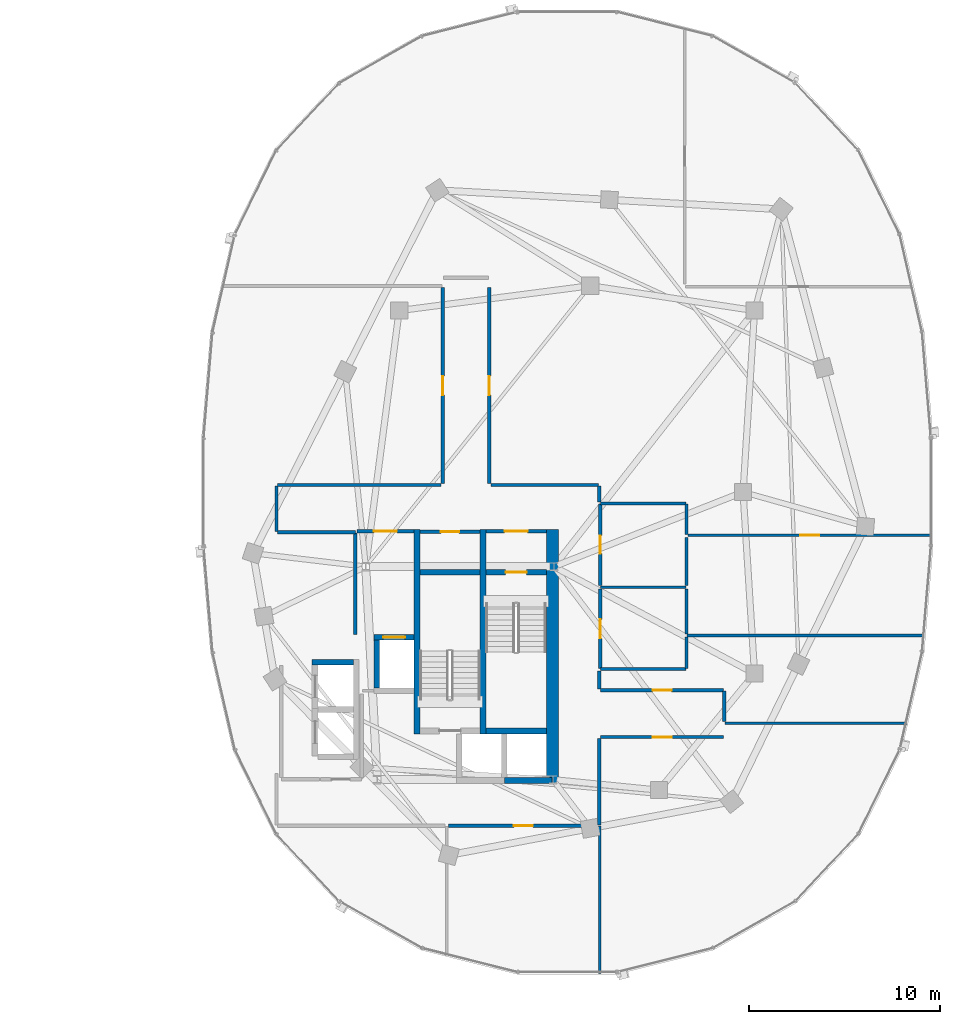
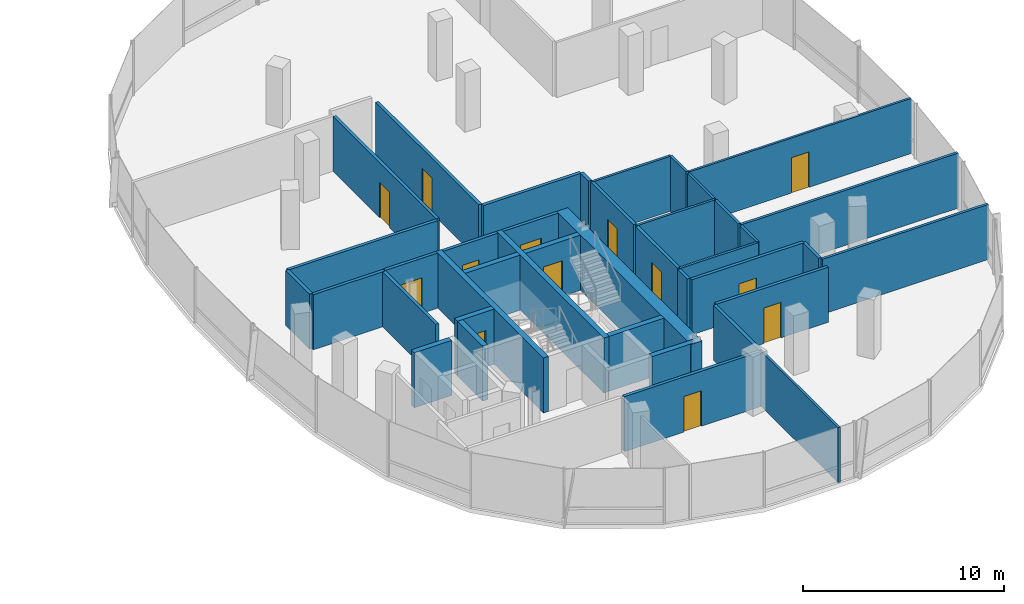
# One storey, part 17 of 25: 40 walls, 13 doors, 13 openings.
"""IFC4 building model written with IfcOpenShell, lengths in metres."""

from ifc_helpers import new_model, si_unit, direction, frame, frame_2d, origin, place, context, subcontext, project, spatial, rectangle, extrude, material, layer, layer_set, type_object, element, fill, save


model = new_model("IFC4")

# Units and contexts
model_context = context("Model", 3, precision=1e-05, world=origin(), true_north=direction((0.0, 1.0)))
body_context = subcontext(model_context, "Body", "Model", "MODEL_VIEW")
ifc_project = project(units=[si_unit("LENGTHUNIT", "METRE"), si_unit("AREAUNIT", "SQUARE_METRE"), si_unit("VOLUMEUNIT", "CUBIC_METRE"), si_unit("PLANEANGLEUNIT", "RADIAN"), si_unit("MASSUNIT", "GRAM", prefix="KILO"), si_unit("THERMODYNAMICTEMPERATUREUNIT", "KELVIN"), si_unit("POWERUNIT", "WATT")], contexts=[model_context])

# Site, building, storey
site_placement = place(None, origin())
site = spatial("IfcSite", under=ifc_project, at=site_placement, CompositionType="ELEMENT")
building_placement = place(site_placement, origin())
building = spatial("IfcBuilding", under=site, at=building_placement, Name="Cundina Bronze Exchange", CompositionType="ELEMENT")
storey_placement = place(building_placement, frame((0.0, 0.0, 217.0)))
storey = spatial("IfcBuildingStorey", under=building, at=storey_placement, Name="L57", CompositionType="ELEMENT", Elevation=217.0)

# Wall
ifc_material_1 = material(Name="Gypsum Fireboard Partition EI120")
ifc_layer_1 = layer(ifc_material_1, 0.179931640625, Name="Gypsum Fireboard Partition EI120")
ifc_layer_set_1 = layer_set([ifc_layer_1], Name="Gypsum Fireboard Partition EI120")
wall_type_1 = type_object("IfcWallType", Name="WL-COR-180", PredefinedType="PARTITIONING", material=ifc_layer_set_1)
wall_1_placement = place(storey_placement, frame((20.889892578125, -7.449951171875, 0.0), z_axis=(0.0, 0.0, 1.0), x_axis=(0.0, 1.0, 0.0)))
element("IfcWall", 1, at=wall_1_placement, inside=storey, type_object=wall_type_1, Name="L57 E Firefighting Lobby Side Wall", PredefinedType="PARTITIONING", context=body_context, shape_type="SweptSolid", body=[
    extrude(rectangle(XDim=5.300048828125, YDim=0.179931640625, at=frame_2d((2.64990234375, 0.0))), origin(), (0.0, 0.0, 1.0), 3.340087890625),
])

# Wall, opening, door
wall_2_placement = place(storey_placement, frame((20.97998046875, -2.06005859375, 0.0), z_axis=(0.0, 0.0, 1.0), x_axis=(1.0, 0.0, 0.0)))
wall_2 = element("IfcWall", 2, at=wall_2_placement, inside=storey, type_object=wall_type_1, Name="L57 E Firefighting Lobby Exit Wall", PredefinedType="PARTITIONING", context=body_context, shape_type="SweptSolid", body=[
    extrude(rectangle(XDim=3.0, YDim=0.179931640625, at=frame_2d((1.5, 0.0))), origin(), (0.0, 0.0, 1.0), 3.340087890625),
])
opening_1_placement = place(wall_2_placement, frame((0.89990234375, 0.0, 0.0)))
opening_1 = element("IfcOpeningElement", 3, at=opening_1_placement, cuts=wall_2, Name="Opening DF-01", PredefinedType="OPENING", context=body_context, shape_type="SweptSolid", body=[
    extrude(rectangle(XDim=1.199951171875, YDim=2.14990234375, at=frame_2d((0.60009765625, 1.074951171875))), frame((0.0, 0.099853515625, 0.0), z_axis=(0.0, -1.0, 0.0), x_axis=(1.0, 0.0, 0.0)), (0.0, 0.0, 1.0), 0.199951171875),
])
ifc_material_2 = material(Name="Steel ASTM A36 Painted", Category="steel")
door_type_1 = type_object("IfcDoorType", Name="DR-FFL-1200", OperationType="NOTDEFINED", PredefinedType="DOOR", material=ifc_material_2)
door_1_placement = place(opening_1_placement, origin())
door_1 = element("IfcDoor", 4, at=door_1_placement, inside=storey, type_object=door_type_1, Name="L57 E Firefighting Lobby Door", OperationType="SINGLE_SWING_LEFT", OverallHeight=2.14990234375, OverallWidth=1.199951171875, PredefinedType="DOOR", context=body_context, shape_type="SweptSolid", body=[
    extrude(rectangle(XDim=1.199951171875, YDim=2.14990234375, at=frame_2d((0.60009765625, 1.074951171875))), frame((0.0, 0.02490234375, 0.0), z_axis=(0.0, -1.0, 0.0), x_axis=(1.0, 0.0, 0.0)), (0.0, 0.0, 1.0), 0.050048828125),
])
fill(opening_1, door_1)

wall_3_placement = place(storey_placement, frame((27.739990234375, -2.06005859375, 0.0), z_axis=(0.0, 0.0, 1.0), x_axis=(1.0, 0.0, 0.0)))
wall_3 = element("IfcWall", 5, at=wall_3_placement, inside=storey, type_object=wall_type_1, Name="L57 E Stair Vestibule Exit Wall", PredefinedType="PARTITIONING", context=body_context, shape_type="SweptSolid", body=[
    extrude(rectangle(XDim=3.159912109375, YDim=0.179931640625, at=frame_2d((1.580078125, 0.0))), origin(), (0.0, 0.0, 1.0), 3.340087890625),
])
opening_2_placement = place(wall_3_placement, frame((0.97998046875, 0.0, 0.0)))
opening_2 = element("IfcOpeningElement", 6, at=opening_2_placement, cuts=wall_3, Name="Opening DF-01", PredefinedType="OPENING", context=body_context, shape_type="SweptSolid", body=[
    extrude(rectangle(XDim=1.199951171875, YDim=2.14990234375, at=frame_2d((0.60009765625, 1.074951171875))), frame((0.0, 0.099853515625, 0.0), z_axis=(0.0, -1.0, 0.0), x_axis=(1.0, 0.0, 0.0)), (0.0, 0.0, 1.0), 0.199951171875),
])
door_2_placement = place(opening_2_placement, origin())
door_2 = element("IfcDoor", 7, at=door_2_placement, inside=storey, type_object=door_type_1, Name="L57 E Stair Vestibule Door", OperationType="SINGLE_SWING_RIGHT", OverallHeight=2.14990234375, OverallWidth=1.199951171875, PredefinedType="DOOR", context=body_context, shape_type="SweptSolid", body=[
    extrude(rectangle(XDim=1.199951171875, YDim=2.14990234375, at=frame_2d((0.60009765625, 1.074951171875))), frame((0.0, 0.02490234375, 0.0), z_axis=(0.0, -1.0, 0.0), x_axis=(1.0, 0.0, 0.0)), (0.0, 0.0, 1.0), 0.050048828125),
])
fill(opening_2, door_2)

wall_4_placement = place(storey_placement, frame((24.300048828125, -2.070068359375, 0.0), z_axis=(0.0, 0.0, 1.0), x_axis=(1.0, 0.0, 0.0)))
wall_4 = element("IfcWall", 8, at=wall_4_placement, inside=storey, type_object=wall_type_1, Name="L57 Interior Partition 043", PredefinedType="PARTITIONING", context=body_context, shape_type="SweptSolid", body=[
    extrude(rectangle(XDim=3.119873046875, YDim=0.179931640625, at=frame_2d((1.56005859375, 0.0))), origin(), (0.0, 0.0, 1.0), 3.340087890625),
])
opening_3_placement = place(wall_4_placement, frame((1.0849609375, 0.0, 0.0)))
opening_3 = element("IfcOpeningElement", 9, at=opening_3_placement, cuts=wall_4, Name="Opening DW-01", PredefinedType="OPENING", context=body_context, shape_type="SweptSolid", body=[
    extrude(rectangle(XDim=0.949951171875, YDim=2.10009765625, at=frame_2d((0.47509765625, 1.050048828125))), frame((0.0, 0.099853515625, 0.0), z_axis=(0.0, -1.0, 0.0), x_axis=(1.0, 0.0, 0.0)), (0.0, 0.0, 1.0), 0.199951171875),
])
ifc_material_3 = material(Name="Solid Andean Oak Timber Grade A", Category="wood")
door_type_2 = type_object("IfcDoorType", Name="DR-WC-950", OperationType="NOTDEFINED", PredefinedType="DOOR", material=ifc_material_3)
door_3_placement = place(opening_3_placement, origin())
door_3 = element("IfcDoor", 10, at=door_3_placement, inside=storey, type_object=door_type_2, Name="L57 Interior Door 043", OperationType="SINGLE_SWING_LEFT", OverallHeight=2.10009765625, OverallWidth=0.949951171875, PredefinedType="DOOR", context=body_context, shape_type="SweptSolid", body=[
    extrude(rectangle(XDim=0.949951171875, YDim=2.10009765625, at=frame_2d((0.47509765625, 1.050048828125))), frame((0.0, 0.02490234375, 0.0), z_axis=(0.0, -1.0, 0.0), x_axis=(1.0, 0.0, 0.0)), (0.0, 0.0, 1.0), 0.050048828125),
])
fill(opening_3, door_3)

wall_5_placement = place(storey_placement, frame((33.719970703125, -4.8798828125, 0.0), z_axis=(0.0, 0.0, 1.0), x_axis=(0.0, 1.0, 0.0)))
wall_5 = element("IfcWall", 11, at=wall_5_placement, inside=storey, type_object=wall_type_1, Name="L57 Interior Partition 051", PredefinedType="PARTITIONING", context=body_context, shape_type="SweptSolid", body=[
    extrude(rectangle(XDim=4.259765625, YDim=0.179931640625, at=frame_2d((2.1298828125, 0.0))), origin(), (0.0, 0.0, 1.0), 3.340087890625),
])
opening_4_placement = place(wall_5_placement, frame((1.655029296875, 0.0, 0.0)))
opening_4 = element("IfcOpeningElement", 12, at=opening_4_placement, cuts=wall_5, Name="Opening DW-01", PredefinedType="OPENING", context=body_context, shape_type="SweptSolid", body=[
    extrude(rectangle(XDim=0.949951171875, YDim=2.10009765625, at=frame_2d((0.47509765625, 1.050048828125))), frame((0.0, 0.099853515625, 0.0), z_axis=(0.0, -1.0, 0.0), x_axis=(1.0, 0.0, 0.0)), (0.0, 0.0, 1.0), 0.199951171875),
])
door_4_placement = place(opening_4_placement, origin())
door_4 = element("IfcDoor", 13, at=door_4_placement, inside=storey, type_object=door_type_2, Name="L57 Interior Door 051", OperationType="SINGLE_SWING_LEFT", OverallHeight=2.10009765625, OverallWidth=0.949951171875, PredefinedType="DOOR", context=body_context, shape_type="SweptSolid", body=[
    extrude(rectangle(XDim=0.949951171875, YDim=2.10009765625, at=frame_2d((0.47509765625, 1.050048828125))), frame((0.0, 0.02490234375, 0.0), z_axis=(0.0, -1.0, 0.0), x_axis=(1.0, 0.0, 0.0)), (0.0, 0.0, 1.0), 0.050048828125),
])
fill(opening_4, door_4)

wall_6_placement = place(storey_placement, frame((33.719970703125, -9.239990234375, 0.0), z_axis=(0.0, 0.0, 1.0), x_axis=(0.0, 1.0, 0.0)))
wall_6 = element("IfcWall", 14, at=wall_6_placement, inside=storey, type_object=wall_type_1, Name="L57 Interior Partition 052", PredefinedType="PARTITIONING", context=body_context, shape_type="SweptSolid", body=[
    extrude(rectangle(XDim=4.159912109375, YDim=0.179931640625, at=frame_2d((2.080078125, 0.0))), origin(), (0.0, 0.0, 1.0), 3.340087890625),
])
opening_5_placement = place(wall_6_placement, frame((1.580078125, 0.0, 0.0)))
opening_5 = element("IfcOpeningElement", 15, at=opening_5_placement, cuts=wall_6, Name="Opening DO-01", PredefinedType="OPENING", context=body_context, shape_type="SweptSolid", body=[
    extrude(rectangle(XDim=1.0, YDim=2.14990234375, at=frame_2d((0.5, 1.074951171875))), frame((0.0, 0.099853515625, 0.0), z_axis=(0.0, -1.0, 0.0), x_axis=(1.0, 0.0, 0.0)), (0.0, 0.0, 1.0), 0.199951171875),
])
door_type_3 = type_object("IfcDoorType", Name="DR-OFF-1000", OperationType="NOTDEFINED", PredefinedType="DOOR", material=ifc_material_3)
door_5_placement = place(opening_5_placement, origin())
door_5 = element("IfcDoor", 16, at=door_5_placement, inside=storey, type_object=door_type_3, Name="L57 Interior Door 052", OperationType="SINGLE_SWING_LEFT", OverallHeight=2.14990234375, OverallWidth=1.0, PredefinedType="DOOR", context=body_context, shape_type="SweptSolid", body=[
    extrude(rectangle(XDim=1.0, YDim=2.14990234375, at=frame_2d((0.5, 1.074951171875))), frame((0.0, 0.02490234375, 0.0), z_axis=(0.0, -1.0, 0.0), x_axis=(1.0, 0.0, 0.0)), (0.0, 0.0, 1.0), 0.050048828125),
])
fill(opening_5, door_5)

wall_7_placement = place(storey_placement, frame((25.7900390625, -17.469970703125, 0.0), z_axis=(0.0, 0.0, 1.0), x_axis=(1.0, 0.0, 0.0)))
wall_7 = element("IfcWall", 17, at=wall_7_placement, inside=storey, type_object=wall_type_1, Name="L57 Interior Partition 058", PredefinedType="PARTITIONING", context=body_context, shape_type="SweptSolid", body=[
    extrude(rectangle(XDim=7.820068359375, YDim=0.179931640625, at=frame_2d((3.91015625, 0.0))), origin(), (0.0, 0.0, 1.0), 3.340087890625),
])
opening_6_placement = place(wall_7_placement, frame((3.409912109375, 0.0, 0.0)))
opening_6 = element("IfcOpeningElement", 18, at=opening_6_placement, cuts=wall_7, Name="Opening DO-01", PredefinedType="OPENING", context=body_context, shape_type="SweptSolid", body=[
    extrude(rectangle(XDim=1.0, YDim=2.14990234375, at=frame_2d((0.5, 1.074951171875))), frame((0.0, 0.099853515625, 0.0), z_axis=(0.0, -1.0, 0.0), x_axis=(1.0, 0.0, 0.0)), (0.0, 0.0, 1.0), 0.199951171875),
])
door_6_placement = place(opening_6_placement, origin())
door_6 = element("IfcDoor", 19, at=door_6_placement, inside=storey, type_object=door_type_3, Name="L57 Interior Door 058", OperationType="SINGLE_SWING_RIGHT", OverallHeight=2.14990234375, OverallWidth=1.0, PredefinedType="DOOR", context=body_context, shape_type="SweptSolid", body=[
    extrude(rectangle(XDim=1.0, YDim=2.14990234375, at=frame_2d((0.5, 1.074951171875))), frame((0.0, 0.02490234375, 0.0), z_axis=(0.0, -1.0, 0.0), x_axis=(1.0, 0.0, 0.0)), (0.0, 0.0, 1.0), 0.050048828125),
])
fill(opening_6, door_6)

wall_8_placement = place(storey_placement, frame((33.75, -12.820068359375, 0.0), z_axis=(0.0, 0.0, 1.0), x_axis=(1.0, 0.0, 0.0)))
wall_8 = element("IfcWall", 20, at=wall_8_placement, inside=storey, type_object=wall_type_1, Name="L57 Interior Partition 059", PredefinedType="PARTITIONING", context=body_context, shape_type="SweptSolid", body=[
    extrude(rectangle(XDim=6.428466796875, YDim=0.179931640625, at=frame_2d((3.21435546875, 0.0))), origin(), (0.0, 0.0, 1.0), 3.340087890625),
])
opening_7_placement = place(wall_8_placement, frame((2.714111328125, 0.0, 0.0)))
opening_7 = element("IfcOpeningElement", 21, at=opening_7_placement, cuts=wall_8, Name="Opening DO-01", PredefinedType="OPENING", context=body_context, shape_type="SweptSolid", body=[
    extrude(rectangle(XDim=1.0, YDim=2.14990234375, at=frame_2d((0.5, 1.074951171875))), frame((0.0, 0.099853515625, 0.0), z_axis=(0.0, -1.0, 0.0), x_axis=(1.0, 0.0, 0.0)), (0.0, 0.0, 1.0), 0.199951171875),
])
door_7_placement = place(opening_7_placement, origin())
door_7 = element("IfcDoor", 22, at=door_7_placement, inside=storey, type_object=door_type_3, Name="L57 Interior Door 059", OperationType="SINGLE_SWING_RIGHT", OverallHeight=2.14990234375, OverallWidth=1.0, PredefinedType="DOOR", context=body_context, shape_type="SweptSolid", body=[
    extrude(rectangle(XDim=1.0, YDim=2.14990234375, at=frame_2d((0.5, 1.074951171875))), frame((0.0, 0.02490234375, 0.0), z_axis=(0.0, -1.0, 0.0), x_axis=(1.0, 0.0, 0.0)), (0.0, 0.0, 1.0), 0.050048828125),
])
fill(opening_7, door_7)

# Wall
wall_9_placement = place(storey_placement, frame((33.669921875, -17.429931640625, 0.0), z_axis=(0.0, 0.0, 1.0), x_axis=(0.0, 1.0, 0.0)))
element("IfcWall", 23, at=wall_9_placement, inside=storey, type_object=wall_type_1, Name="L57 Interior Partition 060", PredefinedType="PARTITIONING", context=body_context, shape_type="SweptSolid", body=[
    extrude(rectangle(XDim=4.530029296875, YDim=0.179931640625, at=frame_2d((2.26513671875, 0.0))), origin(), (0.0, 0.0, 1.0), 3.340087890625),
])

# Wall, opening, door
wall_10_placement = place(storey_placement, frame((40.178466796875, -10.3798828125, 0.0), z_axis=(0.0, 0.0, 1.0), x_axis=(-1.0, 0.0, 0.0)))
wall_10 = element("IfcWall", 24, at=wall_10_placement, inside=storey, type_object=wall_type_1, Name="L57 Interior Partition 061", PredefinedType="PARTITIONING", context=body_context, shape_type="SweptSolid", body=[
    extrude(rectangle(XDim=6.428466796875, YDim=0.179931640625, at=frame_2d((3.21435546875, 0.0))), origin(), (0.0, 0.0, 1.0), 3.340087890625),
])
opening_8_placement = place(wall_10_placement, frame((2.714111328125, 0.0, 0.0)))
opening_8 = element("IfcOpeningElement", 25, at=opening_8_placement, cuts=wall_10, Name="Opening DO-01", PredefinedType="OPENING", context=body_context, shape_type="SweptSolid", body=[
    extrude(rectangle(XDim=1.0, YDim=2.14990234375, at=frame_2d((0.5, 1.074951171875))), frame((0.0, 0.099853515625, 0.0), z_axis=(0.0, -1.0, 0.0), x_axis=(1.0, 0.0, 0.0)), (0.0, 0.0, 1.0), 0.199951171875),
])
door_8_placement = place(opening_8_placement, origin())
door_8 = element("IfcDoor", 26, at=door_8_placement, inside=storey, type_object=door_type_3, Name="L57 Interior Door 061", OperationType="SINGLE_SWING_LEFT", OverallHeight=2.14990234375, OverallWidth=1.0, PredefinedType="DOOR", context=body_context, shape_type="SweptSolid", body=[
    extrude(rectangle(XDim=1.0, YDim=2.14990234375, at=frame_2d((0.5, 1.074951171875))), frame((0.0, 0.02490234375, 0.0), z_axis=(0.0, -1.0, 0.0), x_axis=(1.0, 0.0, 0.0)), (0.0, 0.0, 1.0), 0.050048828125),
])
fill(opening_8, door_8)

# Walls
wall_11_placement = place(storey_placement, frame((40.219970703125, -12.010009765625, 0.0), z_axis=(0.0, 0.0, 1.0), x_axis=(0.0, 1.0, 0.0)))
element("IfcWall", 27, at=wall_11_placement, inside=storey, type_object=wall_type_1, Name="L57 Interior Partition 062", PredefinedType="PARTITIONING", context=body_context, shape_type="SweptSolid", body=[
    extrude(rectangle(XDim=1.588623046875, YDim=0.179931640625, at=frame_2d((0.79443359375, 0.0))), origin(), (0.0, 0.0, 1.0), 3.340087890625),
])
wall_12_placement = place(storey_placement, frame((33.669921875, -10.300048828125, 0.0), z_axis=(0.0, 0.0, 1.0), x_axis=(0.0, 1.0, 0.0)))
element("IfcWall", 28, at=wall_12_placement, inside=storey, type_object=wall_type_1, Name="L57 Interior Partition 063", PredefinedType="PARTITIONING", context=body_context, shape_type="SweptSolid", body=[
    extrude(rectangle(XDim=0.94873046875, YDim=0.179931640625, at=frame_2d((0.474365234375, 0.0))), origin(), (0.0, 0.0, 1.0), 3.340087890625),
])

# Wall, opening, door
wall_13_placement = place(storey_placement, frame((25.47998046875, 10.699951171875, 0.0), z_axis=(0.0, 0.0, 1.0), x_axis=(0.0, -1.0, 0.0)))
wall_13 = element("IfcWall", 29, at=wall_13_placement, inside=storey, type_object=wall_type_1, Name="L57 Interior Partition 064", PredefinedType="PARTITIONING", context=body_context, shape_type="SweptSolid", body=[
    extrude(rectangle(XDim=10.25, YDim=0.179931640625, at=frame_2d((5.125, 0.0))), origin(), (0.0, 0.0, 1.0), 3.340087890625),
])
opening_9_placement = place(wall_13_placement, frame((4.625, 0.0, 0.0)))
opening_9 = element("IfcOpeningElement", 30, at=opening_9_placement, cuts=wall_13, Name="Opening DO-01", PredefinedType="OPENING", context=body_context, shape_type="SweptSolid", body=[
    extrude(rectangle(XDim=1.0, YDim=2.14990234375, at=frame_2d((0.5, 1.074951171875))), frame((0.0, 0.099853515625, 0.0), z_axis=(0.0, -1.0, 0.0), x_axis=(1.0, 0.0, 0.0)), (0.0, 0.0, 1.0), 0.199951171875),
])
door_9_placement = place(opening_9_placement, origin())
door_9 = element("IfcDoor", 31, at=door_9_placement, inside=storey, type_object=door_type_3, Name="L57 Interior Door 064", OperationType="SINGLE_SWING_RIGHT", OverallHeight=2.14990234375, OverallWidth=1.0, PredefinedType="DOOR", context=body_context, shape_type="SweptSolid", body=[
    extrude(rectangle(XDim=1.0, YDim=2.14990234375, at=frame_2d((0.5, 1.074951171875))), frame((0.0, 0.02490234375, 0.0), z_axis=(0.0, -1.0, 0.0), x_axis=(1.0, 0.0, 0.0)), (0.0, 0.0, 1.0), 0.050048828125),
])
fill(opening_9, door_9)

# Walls
wall_14_placement = place(storey_placement, frame((25.39990234375, 0.3701171875, 0.0), z_axis=(0.0, 0.0, 1.0), x_axis=(-1.0, 0.0, 0.0)))
element("IfcWall", 32, at=wall_14_placement, inside=storey, type_object=wall_type_1, Name="L57 Interior Partition 066", PredefinedType="PARTITIONING", context=body_context, shape_type="SweptSolid", body=[
    extrude(rectangle(XDim=8.578369140625, YDim=0.179931640625, at=frame_2d((4.2890625, 0.0))), origin(), (0.0, 0.0, 1.0), 3.340087890625),
])
wall_15_placement = place(storey_placement, frame((16.821533203125, -2.10009765625, 0.0), z_axis=(0.0, 0.0, 1.0), x_axis=(1.0, 0.0, 0.0)))
element("IfcWall", 33, at=wall_15_placement, inside=storey, type_object=wall_type_1, Name="L57 Interior Partition 067", PredefinedType="PARTITIONING", context=body_context, shape_type="SweptSolid", body=[
    extrude(rectangle(XDim=4.098388671875, YDim=0.179931640625, at=frame_2d((2.04931640625, 0.0))), origin(), (0.0, 0.0, 1.0), 3.340087890625),
])
wall_16_placement = place(storey_placement, frame((16.780029296875, 0.32861328125, 0.0), z_axis=(0.0, 0.0, 1.0), x_axis=(0.0, -1.0, 0.0)))
element("IfcWall", 34, at=wall_16_placement, inside=storey, type_object=wall_type_1, Name="L57 Interior Partition 069", PredefinedType="PARTITIONING", context=body_context, shape_type="SweptSolid", body=[
    extrude(rectangle(XDim=2.38720703125, YDim=0.179931640625, at=frame_2d((1.193603515625, 0.0))), origin(), (0.0, 0.0, 1.0), 3.340087890625),
])

# Wall, opening, door
wall_17_placement = place(storey_placement, frame((27.919921875, 0.449951171875, 0.0), z_axis=(0.0, 0.0, 1.0), x_axis=(0.0, 1.0, 0.0)))
wall_17 = element("IfcWall", 35, at=wall_17_placement, inside=storey, type_object=wall_type_1, Name="L57 Interior Partition 070", PredefinedType="PARTITIONING", context=body_context, shape_type="SweptSolid", body=[
    extrude(rectangle(XDim=10.25, YDim=0.179931640625, at=frame_2d((5.125, 0.0))), origin(), (0.0, 0.0, 1.0), 3.340087890625),
])
opening_10_placement = place(wall_17_placement, frame((4.625, 0.0, 0.0)))
opening_10 = element("IfcOpeningElement", 36, at=opening_10_placement, cuts=wall_17, Name="Opening DO-01", PredefinedType="OPENING", context=body_context, shape_type="SweptSolid", body=[
    extrude(rectangle(XDim=1.0, YDim=2.14990234375, at=frame_2d((0.5, 1.074951171875))), frame((0.0, 0.099853515625, 0.0), z_axis=(0.0, -1.0, 0.0), x_axis=(1.0, 0.0, 0.0)), (0.0, 0.0, 1.0), 0.199951171875),
])
door_10_placement = place(opening_10_placement, origin())
door_10 = element("IfcDoor", 37, at=door_10_placement, inside=storey, type_object=door_type_3, Name="L57 Interior Door 070", OperationType="SINGLE_SWING_LEFT", OverallHeight=2.14990234375, OverallWidth=1.0, PredefinedType="DOOR", context=body_context, shape_type="SweptSolid", body=[
    extrude(rectangle(XDim=1.0, YDim=2.14990234375, at=frame_2d((0.5, 1.074951171875))), frame((0.0, 0.02490234375, 0.0), z_axis=(0.0, -1.0, 0.0), x_axis=(1.0, 0.0, 0.0)), (0.0, 0.0, 1.0), 0.050048828125),
])
fill(opening_10, door_10)

# Walls
wall_18_placement = place(storey_placement, frame((33.62841796875, 0.3701171875, 0.0), z_axis=(0.0, 0.0, 1.0), x_axis=(-1.0, 0.0, 0.0)))
element("IfcWall", 38, at=wall_18_placement, inside=storey, type_object=wall_type_1, Name="L57 Interior Partition 071", PredefinedType="PARTITIONING", context=body_context, shape_type="SweptSolid", body=[
    extrude(rectangle(XDim=5.62841796875, YDim=0.179931640625, at=frame_2d((2.814208984375, 0.0))), origin(), (0.0, 0.0, 1.0), 3.340087890625),
])
wall_19_placement = place(storey_placement, frame((33.669921875, -0.508544921875, 0.0), z_axis=(0.0, 0.0, 1.0), x_axis=(0.0, 1.0, 0.0)))
element("IfcWall", 39, at=wall_19_placement, inside=storey, type_object=wall_type_1, Name="L57 Interior Partition 072", PredefinedType="PARTITIONING", context=body_context, shape_type="SweptSolid", body=[
    extrude(rectangle(XDim=0.837158203125, YDim=0.179931640625, at=frame_2d((0.41845703125, 0.0))), origin(), (0.0, 0.0, 1.0), 3.340087890625),
])
ifc_material_4 = material(Name="Concrete C50/60", Category="concrete")
ifc_layer_2 = layer(ifc_material_4, 0.64990234375, Name="Concrete C50/60", Category="concrete")
ifc_layer_set_2 = layer_set([ifc_layer_2], Name="Concrete C50/60")
wall_type_2 = type_object("IfcWallType", Name="WL-CORE-650", PredefinedType="SHEAR", material=ifc_layer_set_2)
wall_20_placement = place(storey_placement, frame((31.22509765625, -15.300048828125, 0.0), z_axis=(0.0, 0.0, 1.0), x_axis=(0.0, 1.0, 0.0)))
element("IfcWall", 40, at=wall_20_placement, inside=storey, type_object=wall_type_2, Name="L57 E Primary Core Shear Spine Wall", PredefinedType="SHEAR", context=body_context, shape_type="SweptSolid", body=[
    extrude(rectangle(XDim=13.330078125, YDim=0.64990234375, at=frame_2d((6.6650390625, 0.0))), origin(), (0.0, 0.0, 1.0), 3.340087890625),
])
ifc_material_5 = material(Name="Gypsum Acoustic Partition EI60")
ifc_layer_3 = layer(ifc_material_5, 0.125, Name="Gypsum Acoustic Partition EI60")
ifc_layer_set_3 = layer_set([ifc_layer_3], Name="Gypsum Acoustic Partition EI60")
wall_type_3 = type_object("IfcWallType", Name="WL-OFF-125", PredefinedType="PARTITIONING", material=ifc_layer_set_3)
wall_21_placement = place(storey_placement, frame((33.699951171875, -25.18994140625, 0.0), z_axis=(0.0, 0.0, 1.0), x_axis=(0.0, 1.0, 0.0)))
element("IfcWall", 41, at=wall_21_placement, inside=storey, type_object=wall_type_3, Name="L57 Interior Partition 057", PredefinedType="PARTITIONING", context=body_context, shape_type="SweptSolid", body=[
    extrude(rectangle(XDim=7.719970703125, YDim=0.125, at=frame_2d((3.85986328125, 0.0))), origin(), (0.0, 0.0, 1.0), 3.340087890625),
])

# Wall, opening, door
wall_22_placement = place(storey_placement, frame((38.320068359375, -2.25, 0.0), z_axis=(0.0, 0.0, 1.0), x_axis=(1.0, 0.0, 0.0)))
wall_22 = element("IfcWall", 42, at=wall_22_placement, inside=storey, type_object=wall_type_3, Name="L57 Interior Partition 074", PredefinedType="PARTITIONING", context=body_context, shape_type="SweptSolid", body=[
    extrude(rectangle(XDim=12.72900390625, YDim=0.125, at=frame_2d((6.364501953125, 0.0))), origin(), (0.0, 0.0, 1.0), 3.340087890625),
])
opening_11_placement = place(wall_22_placement, frame((5.864501953125, 0.0, 0.0)))
opening_11 = element("IfcOpeningElement", 43, at=opening_11_placement, cuts=wall_22, Name="Opening DO-01", PredefinedType="OPENING", context=body_context, shape_type="SweptSolid", body=[
    extrude(rectangle(XDim=1.0, YDim=2.14990234375, at=frame_2d((0.5, 1.074951171875))), frame((0.0, 0.072509765625, 0.0), z_axis=(0.0, -1.0, 0.0), x_axis=(1.0, 0.0, 0.0)), (0.0, 0.0, 1.0), 0.14501953125),
])
door_11_placement = place(opening_11_placement, origin())
door_11 = element("IfcDoor", 44, at=door_11_placement, inside=storey, type_object=door_type_3, Name="L57 Interior Door 074", OperationType="SINGLE_SWING_LEFT", OverallHeight=2.14990234375, OverallWidth=1.0, PredefinedType="DOOR", context=body_context, shape_type="SweptSolid", body=[
    extrude(rectangle(XDim=1.0, YDim=2.14990234375, at=frame_2d((0.5, 1.074951171875))), frame((0.0, 0.02490234375, 0.0), z_axis=(0.0, -1.0, 0.0), x_axis=(1.0, 0.0, 0.0)), (0.0, 0.0, 1.0), 0.050048828125),
])
fill(opening_11, door_11)

# Walls
ifc_layer_4 = layer(ifc_material_4, 0.300048828125, Name="Concrete C50/60", Category="concrete")
ifc_layer_set_4 = layer_set([ifc_layer_4], Name="Concrete C50/60")
wall_type_4 = type_object("IfcWallType", Name="WL-SHFT-300", PredefinedType="SHEAR", material=ifc_layer_set_4)
for number, where, z_axis, x_axis, name in (
    (45, (27.590087890625, -12.64990234375, 0.0), (0.0, 0.0, 1.0), (0.0, 1.0, 0.0), "L57 E Stair Shaft Dividing Shear Wall"),
    (46, (24.1298828125, -12.64990234375, 0.0), (0.0, 0.0, 1.0), (0.0, 1.0, 0.0), "L57 E Stair 2 East Shear Wall"),
):
    element("IfcWall", number, at=place(storey_placement, frame(where, z_axis=z_axis, x_axis=x_axis)), inside=storey, type_object=wall_type_4, Name=name, PredefinedType="SHEAR", context=body_context, shape_type="SweptSolid", body=[
        extrude(rectangle(XDim=10.679931640625, YDim=0.300048828125, at=frame_2d((5.33984375, 0.0))), origin(), (0.0, 0.0, 1.0), 3.340087890625),
    ])

# Wall, opening, door
wall_23_placement = place(storey_placement, frame((27.739990234375, -4.199951171875, 0.0), z_axis=(0.0, 0.0, 1.0), x_axis=(1.0, 0.0, 0.0)))
wall_23 = element("IfcWall", 47, at=wall_23_placement, inside=storey, type_object=wall_type_4, Name="L57 Stair E1 Landing Wall", PredefinedType="SHEAR", context=body_context, shape_type="SweptSolid", body=[
    extrude(rectangle(XDim=3.159912109375, YDim=0.300048828125, at=frame_2d((1.580078125, 0.0))), origin(), (0.0, 0.0, 1.0), 3.340087890625),
])
opening_12_placement = place(wall_23_placement, frame((1.030029296875, 0.0, 0.0)))
opening_12 = element("IfcOpeningElement", 48, at=opening_12_placement, cuts=wall_23, Name="Opening DS-01", PredefinedType="OPENING", context=body_context, shape_type="SweptSolid", body=[
    extrude(rectangle(XDim=1.10009765625, YDim=2.14990234375, at=frame_2d((0.550048828125, 1.074951171875))), frame((0.0, 0.159912109375, 0.0), z_axis=(0.0, -1.0, 0.0), x_axis=(1.0, 0.0, 0.0)), (0.0, 0.0, 1.0), 0.320068359375),
])
door_type_4 = type_object("IfcDoorType", Name="DR-STR-1100", OperationType="NOTDEFINED", PredefinedType="DOOR", material=ifc_material_2)
door_12_placement = place(opening_12_placement, origin())
door_12 = element("IfcDoor", 49, at=door_12_placement, inside=storey, type_object=door_type_4, Name="L57 Smokeproof Stair E1 Door", OperationType="SINGLE_SWING_LEFT", OverallHeight=2.14990234375, OverallWidth=1.10009765625, PredefinedType="DOOR", context=body_context, shape_type="SweptSolid", body=[
    extrude(rectangle(XDim=1.10009765625, YDim=2.14990234375, at=frame_2d((0.550048828125, 1.074951171875))), frame((0.0, 0.02490234375, 0.0), z_axis=(0.0, -1.0, 0.0), x_axis=(1.0, 0.0, 0.0)), (0.0, 0.0, 1.0), 0.050048828125),
])
fill(opening_12, door_12)

# Walls
for number, where, z_axis, x_axis, name in (
    (50, (27.739990234375, -12.5, 0.0), (0.0, 0.0, 1.0), (1.0, 0.0, 0.0), "L57 Stair E1 Far Shaft Wall"),
    (51, (24.280029296875, -4.199951171875, 0.0), (0.0, 0.0, 1.0), (1.0, 0.0, 0.0), "L57 Stair E2 Far Shaft Wall"),
):
    element("IfcWall", number, at=place(storey_placement, frame(where, z_axis=z_axis, x_axis=x_axis)), inside=storey, type_object=wall_type_4, Name=name, PredefinedType="SHEAR", context=body_context, shape_type="SweptSolid", body=[
        extrude(rectangle(XDim=3.159912109375, YDim=0.300048828125, at=frame_2d((1.580078125, 0.0))), origin(), (0.0, 0.0, 1.0), 3.340087890625),
    ])

# Wall, opening, door
wall_24_placement = place(storey_placement, frame((21.8798828125, -7.60009765625, 0.0), z_axis=(0.0, 0.0, 1.0), x_axis=(1.0, 0.0, 0.0)))
wall_24 = element("IfcWall", 52, at=wall_24_placement, inside=storey, type_object=wall_type_4, Name="L57 FFL-E Hoistway Front Wall", PredefinedType="SHEAR", context=body_context, shape_type="SweptSolid", body=[
    extrude(rectangle(XDim=2.10009765625, YDim=0.300048828125, at=frame_2d((1.050048828125, 0.0))), origin(), (0.0, 0.0, 1.0), 3.340087890625),
])
opening_13_placement = place(wall_24_placement, frame((0.47509765625, 0.0, 0.0)))
opening_13 = element("IfcOpeningElement", 53, at=opening_13_placement, cuts=wall_24, Name="Opening LD-01", PredefinedType="OPENING", context=body_context, shape_type="SweptSolid", body=[
    extrude(rectangle(XDim=1.14990234375, YDim=2.199951171875, at=frame_2d((0.574951171875, 1.10009765625))), frame((0.0, 0.159912109375, 0.0), z_axis=(0.0, -1.0, 0.0), x_axis=(1.0, 0.0, 0.0)), (0.0, 0.0, 1.0), 0.320068359375),
])
door_type_5 = type_object("IfcDoorType", Name="DR-LND-1150", OperationType="NOTDEFINED", PredefinedType="TRAPDOOR", material=ifc_material_2)
door_13_placement = place(opening_13_placement, origin())
door_13 = element("IfcDoor", 54, at=door_13_placement, inside=storey, type_object=door_type_5, Name="L57 FFL-E Sliding Landing Door", OperationType="SLIDING_TO_LEFT", OverallHeight=2.199951171875, OverallWidth=1.14990234375, PredefinedType="TRAPDOOR", context=body_context, shape_type="SweptSolid", body=[
    extrude(rectangle(XDim=1.14990234375, YDim=2.199951171875, at=frame_2d((0.574951171875, 1.10009765625))), frame((0.0, 0.02490234375, 0.0), z_axis=(0.0, -1.0, 0.0), x_axis=(1.0, 0.0, 0.0)), (0.0, 0.0, 1.0), 0.050048828125),
])
fill(opening_13, door_13)

# Walls
for number, where, z_axis, x_axis, name in (
    (55, (22.030029296875, -10.25, 0.0), (0.0, 0.0, 1.0), (0.0, 1.0, 0.0), "L57 FFL-E Hoistway Side Wall"),
    (56, (28.699951171875, -15.10009765625, 0.0), (0.0, 0.0, 1.0), (1.0, 0.0, 0.0), "L57 PH-E1 Hoistway Front Wall"),
):
    element("IfcWall", number, at=place(storey_placement, frame(where, z_axis=z_axis, x_axis=x_axis)), inside=storey, type_object=wall_type_4, Name=name, PredefinedType="SHEAR", context=body_context, shape_type="SweptSolid", body=[
        extrude(rectangle(XDim=2.5, YDim=0.300048828125, at=frame_2d((1.25, 0.0))), origin(), (0.0, 0.0, 1.0), 3.340087890625),
    ])
wall_25_placement = place(storey_placement, frame((18.64990234375, -8.89990234375, 0.0), z_axis=(0.0, 0.0, 1.0), x_axis=(1.0, 0.0, 0.0)))
element("IfcWall", 57, at=wall_25_placement, inside=storey, type_object=wall_type_4, Name="L57 E Passenger Bank North Cap Wall", PredefinedType="SHEAR", context=body_context, shape_type="SweptSolid", body=[
    extrude(rectangle(XDim=2.150146484375, YDim=0.300048828125, at=frame_2d((1.0751953125, 0.0))), origin(), (0.0, 0.0, 1.0), 3.340087890625),
])
ifc_layer_5 = layer(ifc_material_5, 0.14990234375, Name="Gypsum Acoustic Partition EI60")
ifc_layer_set_5 = layer_set([ifc_layer_5], Name="Gypsum Acoustic Partition EI60")
wall_type_5 = type_object("IfcWallType", Name="WL-TEN-150", PredefinedType="PARTITIONING", material=ifc_layer_set_5)
wall_26_placement = place(storey_placement, frame((38.27001953125, -7.5, 0.0), z_axis=(0.0, 0.0, 1.0), x_axis=(1.0, 0.0, 0.0)))
element("IfcWall", 58, at=wall_26_placement, inside=storey, type_object=wall_type_5, Name="L57 Interior Partition 054", PredefinedType="PARTITIONING", context=body_context, shape_type="SweptSolid", body=[
    extrude(rectangle(XDim=12.4375, YDim=0.14990234375, at=frame_2d((6.21875, 0.0))), origin(), (0.0, 0.0, 1.0), 3.340087890625),
])
wall_27_placement = place(storey_placement, frame((40.25, -12.10009765625, 0.0), z_axis=(0.0, 0.0, 1.0), x_axis=(1.0, 0.0, 0.0)))
element("IfcWall", 59, at=wall_27_placement, inside=storey, type_object=wall_type_5, Name="L57 Interior Partition 055", PredefinedType="PARTITIONING", context=body_context, shape_type="SweptSolid", body=[
    extrude(rectangle(XDim=9.531982421875, YDim=0.14990234375, at=frame_2d((4.76611328125, 0.0))), origin(), (0.0, 0.0, 1.0), 3.340087890625),
])
ifc_material_6 = material(Name="Moisture-Resistant Masonry Block Grade M15", Category="masonry")
ifc_layer_6 = layer(ifc_material_6, 0.139892578125, Name="Moisture-Resistant Masonry Block Grade M15", Category="masonry")
ifc_layer_set_6 = layer_set([ifc_layer_6], Name="Moisture-Resistant Masonry Block Grade M15")
wall_type_6 = type_object("IfcWallType", Name="WL-WET-140", PredefinedType="PARTITIONING", material=ifc_layer_set_6)
wall_28_placement = place(storey_placement, frame((38.239990234375, -9.239990234375, 0.0), z_axis=(0.0, 0.0, 1.0), x_axis=(0.0, 1.0, 0.0)))
element("IfcWall", 60, at=wall_28_placement, inside=storey, type_object=wall_type_6, Name="L57 Interior Partition 044", PredefinedType="PARTITIONING", context=body_context, shape_type="SweptSolid", body=[
    extrude(rectangle(XDim=1.655029296875, YDim=0.139892578125, at=frame_2d((0.82763671875, 0.0))), origin(), (0.0, 0.0, 1.0), 3.340087890625),
])
wall_29_placement = place(storey_placement, frame((38.239990234375, -7.4150390625, 0.0), z_axis=(0.0, 0.0, 1.0), x_axis=(0.0, 1.0, 0.0)))
element("IfcWall", 61, at=wall_29_placement, inside=storey, type_object=wall_type_6, Name="L57 Interior Partition 045", PredefinedType="PARTITIONING", context=body_context, shape_type="SweptSolid", body=[
    extrude(rectangle(XDim=2.35009765625, YDim=0.139892578125, at=frame_2d((1.175048828125, 0.0))), origin(), (0.0, 0.0, 1.0), 3.340087890625),
])
wall_30_placement = place(storey_placement, frame((38.239990234375, -4.89501953125, 0.0), z_axis=(0.0, 0.0, 1.0), x_axis=(0.0, 1.0, 0.0)))
element("IfcWall", 62, at=wall_30_placement, inside=storey, type_object=wall_type_6, Name="L57 Interior Partition 046", PredefinedType="PARTITIONING", context=body_context, shape_type="SweptSolid", body=[
    extrude(rectangle(XDim=2.510009765625, YDim=0.139892578125, at=frame_2d((1.2548828125, 0.0))), origin(), (0.0, 0.0, 1.0), 3.340087890625),
])
wall_31_placement = place(storey_placement, frame((38.239990234375, -2.215087890625, 0.0), z_axis=(0.0, 0.0, 1.0), x_axis=(0.0, 1.0, 0.0)))
element("IfcWall", 63, at=wall_31_placement, inside=storey, type_object=wall_type_6, Name="L57 Interior Partition 047", PredefinedType="PARTITIONING", context=body_context, shape_type="SweptSolid", body=[
    extrude(rectangle(XDim=1.594970703125, YDim=0.139892578125, at=frame_2d((0.79736328125, 0.0))), origin(), (0.0, 0.0, 1.0), 3.340087890625),
])
for number, where, z_axis, x_axis, name in (
    (64, (33.739990234375, -0.60009765625, 0.0), (0.0, 0.0, 1.0), (1.0, 0.0, 0.0), "L57 Interior Partition 048"),
    (65, (33.739990234375, -4.97998046875, 0.0), (0.0, 0.0, 1.0), (1.0, 0.0, 0.0), "L57 Interior Partition 049"),
    (66, (33.739990234375, -9.260009765625, 0.0), (0.0, 0.0, 1.0), (1.0, 0.0, 0.0), "L57 Interior Partition 050"),
):
    element("IfcWall", number, at=place(storey_placement, frame(where, z_axis=z_axis, x_axis=x_axis)), inside=storey, type_object=wall_type_6, Name=name, PredefinedType="PARTITIONING", context=body_context, shape_type="SweptSolid", body=[
        extrude(rectangle(XDim=4.47998046875, YDim=0.139892578125, at=frame_2d((2.239990234375, 0.0))), origin(), (0.0, 0.0, 1.0), 3.340087890625),
    ])

save(model, "model.ifc")
